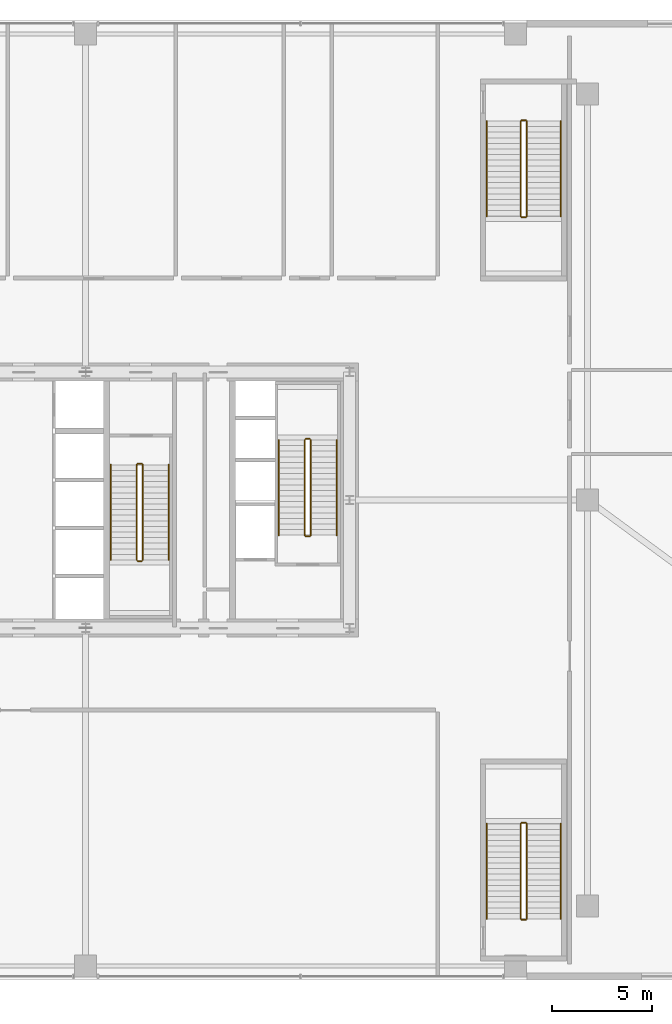
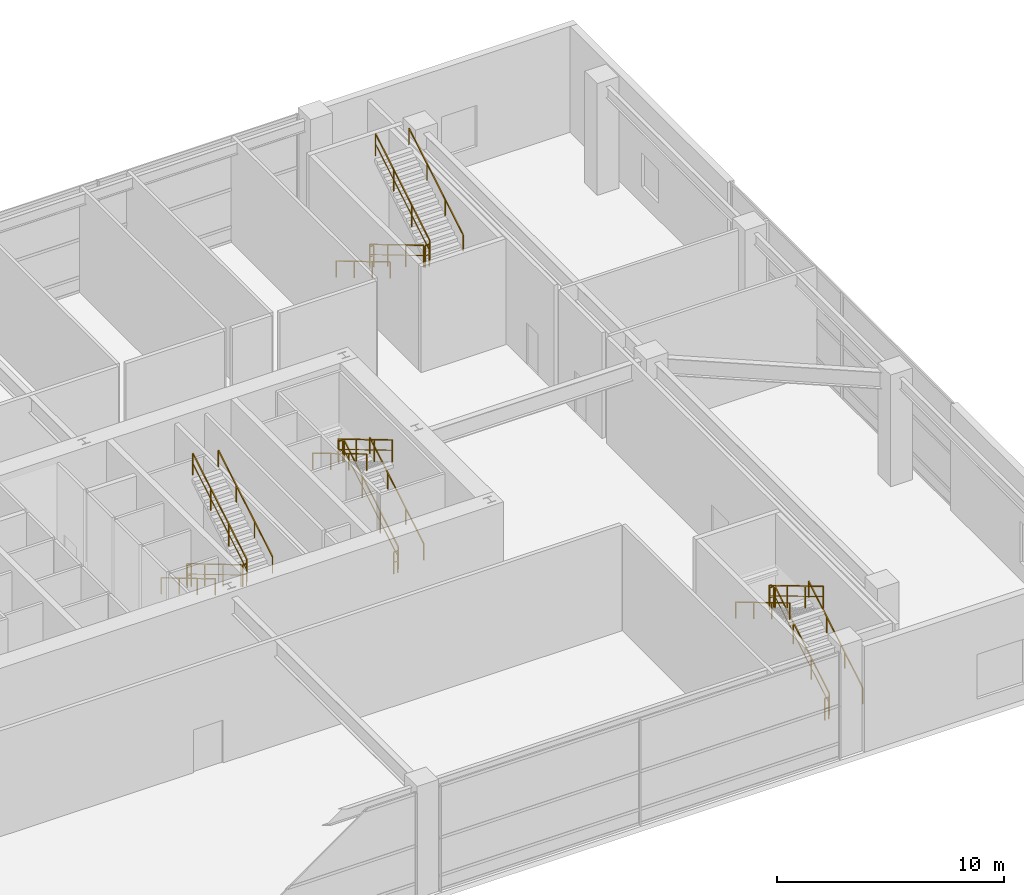
# One storey, part 39 of 39: 24 railings.
"""IFC4 building model written with IfcOpenShell, lengths in metres."""

from ifc_helpers import new_model, si_unit, direction, frame, origin, origin_2d, place, context, subcontext, project, spatial, rectangle, extrude, source, transform, mapped, material, layer, layer_set, type_object, element, save


model = new_model("IFC4")

# Units and contexts
model_context = context("Model", 3, precision=1e-05, world=origin(), true_north=direction((0.0, 1.0)))
body_context = subcontext(model_context, "Body", "Model", "MODEL_VIEW")
ifc_project = project(units=[si_unit("LENGTHUNIT", "METRE"), si_unit("AREAUNIT", "SQUARE_METRE"), si_unit("VOLUMEUNIT", "CUBIC_METRE"), si_unit("PLANEANGLEUNIT", "RADIAN"), si_unit("MASSUNIT", "GRAM", prefix="KILO"), si_unit("THERMODYNAMICTEMPERATUREUNIT", "KELVIN"), si_unit("POWERUNIT", "WATT")], contexts=[model_context])

# Site, building, storey
site_placement = place(None, origin())
site = spatial("IfcSite", under=ifc_project, at=site_placement, CompositionType="ELEMENT")
building_placement = place(site_placement, origin())
building = spatial("IfcBuilding", under=site, at=building_placement, Name="Yuzanri Waterfront Tower", CompositionType="ELEMENT")
storey_placement = place(building_placement, frame((0.0, 0.0, 19.800048828125)))
storey = spatial("IfcBuildingStorey", under=building, at=storey_placement, Name="L05", CompositionType="ELEMENT", Elevation=19.800048828125)

# Railings
ifc_material_1 = material(Name="Painted Galvanized Fire Steel", Category="steel")
ifc_layer_1 = layer(ifc_material_1, 0.06005859375)
ifc_layer_set_1 = layer_set([ifc_layer_1], Name="Painted Galvanized Fire Steel")
railing_type_1 = type_object("IfcRailingType", Name="Painted Steel Stairwell Guardrail 1120", PredefinedType="GUARDRAIL", material=ifc_layer_set_1)
shared_shape_1 = source(origin(), body_context, "Body", "SweptSolid", [
    extrude(rectangle(XDim=0.050048828125, YDim=0.050048828125, at=origin_2d()), frame((0.0, 0.0, 1.1748046875), z_axis=(-1.0, 0.0, 0.0), x_axis=(0.0, -1.0, 0.0)), (0.0, 0.0, 1.0), 0.199951171875),
    extrude(rectangle(XDim=0.035888671875, YDim=0.030029296875, at=origin_2d()), frame((0.0, 0.0, 0.6240234375), z_axis=(-1.0, 0.0, 0.0), x_axis=(0.0, -1.0, 0.0)), (0.0, 0.0, 1.0), 0.199951171875),
    extrude(rectangle(XDim=0.0458984375, YDim=0.0458984375, at=origin_2d()), origin(), (0.0, 0.0, 1.0), 1.14990234375),
    extrude(rectangle(XDim=0.0458984375, YDim=0.0458984375, at=origin_2d()), frame((-0.199951171875, 0.0, 0.0)), (0.0, 0.0, 1.0), 1.14990234375),
])
for number, where, name in (
    (1, (48.199951171875, 28.85009765625, 3.0), "L05 ST-02 stair guard 2"),
    (2, (48.199951171875, 23.989990234375, 0.0), "L05 ST-02 stair guard 4"),
    (3, (59.0, 9.659912109375, 3.0), "L05 PST-02 stair guard 2"),
    (4, (59.0, 4.800048828125, 0.0), "L05 PST-02 stair guard 4"),
):
    element("IfcRailing", number, at=place(storey_placement, frame(where)), inside=storey, type_object=railing_type_1, Name=name, PredefinedType="GUARDRAIL", context=body_context, shape_type="MappedRepresentation", body=[
        mapped(shared_shape_1, transform((0.0, 0.0, 0.0), scale=1.0)),
    ])
shared_shape_2 = source(origin(), body_context, "Body", "SweptSolid", [
    extrude(rectangle(XDim=0.050048828125, YDim=0.050048828125, at=origin_2d()), frame((0.0, 0.0, 1.1748046875), z_axis=(0.0, 0.859280431707, 0.51150477973), x_axis=(-1.0, 0.0, 0.0)), (0.0, 0.0, 1.0), 5.53955078125),
    extrude(rectangle(XDim=0.035888671875, YDim=0.030029296875, at=origin_2d()), frame((0.0, 0.0, 0.6240234375), z_axis=(0.0, 0.859280431707, 0.51150477973), x_axis=(-1.0, 0.0, 0.0)), (0.0, 0.0, 1.0), 5.53955078125),
    extrude(rectangle(XDim=0.0458984375, YDim=0.0458984375, at=origin_2d()), origin(), (0.0, 0.0, 1.0), 1.14990234375),
    extrude(rectangle(XDim=0.0458984375, YDim=0.0458984375, at=origin_2d()), frame((0.0, 1.586669921875, 0.944580078125)), (0.0, 0.0, 1.0), 1.14990234375),
    extrude(rectangle(XDim=0.0458984375, YDim=0.0458984375, at=origin_2d()), frame((0.0, 3.17333984375, 1.888916015625)), (0.0, 0.0, 1.0), 1.14990234375),
    extrude(rectangle(XDim=0.0458984375, YDim=0.0458984375, at=origin_2d()), frame((0.0, 4.760009765625, 2.83349609375)), (0.0, 0.0, 1.0), 1.14990234375),
])
for number, where, name in (
    (5, (48.25, 24.0400390625, 0.16650390625), "L05 ST-02 stair guard 1"),
    (6, (39.85009765625, 22.800048828125, 3.16650390625), "L05 ST-03 stair guard 3"),
    (7, (59.050048828125, 4.85009765625, 0.16650390625), "L05 PST-02 stair guard 1"),
    (8, (59.050048828125, 39.989990234375, 3.16650390625), "L05 PST-03 stair guard 3"),
):
    element("IfcRailing", number, at=place(storey_placement, frame(where)), inside=storey, type_object=railing_type_1, Name=name, PredefinedType="GUARDRAIL", context=body_context, shape_type="MappedRepresentation", body=[
        mapped(shared_shape_2, transform((0.0, 0.0, 0.0), scale=1.0)),
    ])
shared_shape_3 = source(origin(), body_context, "Body", "SweptSolid", [
    extrude(rectangle(XDim=0.050048828125, YDim=0.050048828125, at=origin_2d()), frame((0.0, 0.0, 1.1748046875), z_axis=(0.0, -0.859280431707, 0.51150477973), x_axis=(1.0, 0.0, 0.0)), (0.0, 0.0, 1.0), 5.53955078125),
    extrude(rectangle(XDim=0.035888671875, YDim=0.030029296875, at=origin_2d()), frame((0.0, 0.0, 0.6240234375), z_axis=(0.0, -0.859280431707, 0.51150477973), x_axis=(1.0, 0.0, 0.0)), (0.0, 0.0, 1.0), 5.53955078125),
    extrude(rectangle(XDim=0.0458984375, YDim=0.0458984375, at=origin_2d()), origin(), (0.0, 0.0, 1.0), 1.14990234375),
    extrude(rectangle(XDim=0.0458984375, YDim=0.0458984375, at=origin_2d()), frame((0.0, -1.586669921875, 0.944580078125)), (0.0, 0.0, 1.0), 1.14990234375),
    extrude(rectangle(XDim=0.0458984375, YDim=0.0458984375, at=origin_2d()), frame((0.0, -3.17333984375, 1.888916015625)), (0.0, 0.0, 1.0), 1.14990234375),
    extrude(rectangle(XDim=0.0458984375, YDim=0.0458984375, at=origin_2d()), frame((0.0, -4.760009765625, 2.83349609375)), (0.0, 0.0, 1.0), 1.14990234375),
])
for number, where, name in (
    (9, (47.949951171875, 28.800048828125, 3.16650390625), "L05 ST-02 stair guard 3"),
    (10, (39.550048828125, 27.56005859375, 0.16650390625), "L05 ST-03 stair guard 1"),
    (11, (58.75, 9.610107421875, 3.16650390625), "L05 PST-02 stair guard 3"),
    (12, (58.75, 44.75, 0.16650390625), "L05 PST-03 stair guard 1"),
):
    element("IfcRailing", number, at=place(storey_placement, frame(where)), inside=storey, type_object=railing_type_1, Name=name, PredefinedType="GUARDRAIL", context=body_context, shape_type="MappedRepresentation", body=[
        mapped(shared_shape_3, transform((0.0, 0.0, 0.0), scale=1.0)),
    ])
ifc_material_2 = material(Name="Anodized Architectural Bronze", Category="metal")
ifc_layer_2 = layer(ifc_material_2, 0.050048828125)
ifc_layer_set_2 = layer_set([ifc_layer_2], Name="Anodized Architectural Bronze")
railing_type_2 = type_object("IfcRailingType", Name="Brushed Bronze Stair Pitch Handrail 920", PredefinedType="HANDRAIL", material=ifc_layer_set_2)
shared_shape_4 = source(origin(), body_context, "Body", "SweptSolid", [
    extrude(rectangle(XDim=0.050048828125, YDim=0.050048828125, at=origin_2d()), frame((0.0, 0.0, 0.875), z_axis=(0.0, 0.859280431707, 0.51150477973), x_axis=(-1.0, 0.0, 0.0)), (0.0, 0.0, 1.0), 5.53955078125),
    extrude(rectangle(XDim=0.0458984375, YDim=0.0458984375, at=origin_2d()), origin(), (0.0, 0.0, 1.0), 0.849853515625),
    extrude(rectangle(XDim=0.0458984375, YDim=0.0458984375, at=origin_2d()), frame((0.0, 1.586669921875, 0.944580078125)), (0.0, 0.0, 1.0), 0.849853515625),
    extrude(rectangle(XDim=0.0458984375, YDim=0.0458984375, at=origin_2d()), frame((0.0, 3.17333984375, 1.888916015625)), (0.0, 0.0, 1.0), 0.849853515625),
    extrude(rectangle(XDim=0.0458984375, YDim=0.0458984375, at=origin_2d()), frame((0.0, 4.760009765625, 2.83349609375)), (0.0, 0.0, 1.0), 0.849853515625),
])
for number, where, name in (
    (13, (49.550048828125, 24.0400390625, 0.16650390625), "L05 ST-02 stair handrail 1"),
    (14, (41.14990234375, 22.800048828125, 3.16650390625), "L05 ST-03 stair handrail 2"),
    (15, (60.75, 4.85009765625, 0.16650390625), "L05 PST-02 stair handrail 1"),
    (16, (60.75, 39.989990234375, 3.16650390625), "L05 PST-03 stair handrail 2"),
):
    element("IfcRailing", number, at=place(storey_placement, frame(where)), inside=storey, type_object=railing_type_2, Name=name, PredefinedType="HANDRAIL", context=body_context, shape_type="MappedRepresentation", body=[
        mapped(shared_shape_4, transform((0.0, 0.0, 0.0), scale=1.0)),
    ])
shared_shape_5 = source(origin(), body_context, "Body", "SweptSolid", [
    extrude(rectangle(XDim=0.050048828125, YDim=0.050048828125, at=origin_2d()), frame((0.0, 0.0, 0.875), z_axis=(0.0, -0.859280431707, 0.51150477973), x_axis=(1.0, 0.0, 0.0)), (0.0, 0.0, 1.0), 5.53955078125),
    extrude(rectangle(XDim=0.0458984375, YDim=0.0458984375, at=origin_2d()), origin(), (0.0, 0.0, 1.0), 0.849853515625),
    extrude(rectangle(XDim=0.0458984375, YDim=0.0458984375, at=origin_2d()), frame((0.0, -1.586669921875, 0.944580078125)), (0.0, 0.0, 1.0), 0.849853515625),
    extrude(rectangle(XDim=0.0458984375, YDim=0.0458984375, at=origin_2d()), frame((0.0, -3.17333984375, 1.888916015625)), (0.0, 0.0, 1.0), 0.849853515625),
    extrude(rectangle(XDim=0.0458984375, YDim=0.0458984375, at=origin_2d()), frame((0.0, -4.760009765625, 2.83349609375)), (0.0, 0.0, 1.0), 0.849853515625),
])
for number, where, name in (
    (17, (46.64990234375, 28.800048828125, 3.16650390625), "L05 ST-02 stair handrail 2"),
    (18, (38.25, 27.56005859375, 0.16650390625), "L05 ST-03 stair handrail 1"),
    (19, (57.050048828125, 9.610107421875, 3.16650390625), "L05 PST-02 stair handrail 2"),
    (20, (57.050048828125, 44.75, 0.16650390625), "L05 PST-03 stair handrail 1"),
):
    element("IfcRailing", number, at=place(storey_placement, frame(where)), inside=storey, type_object=railing_type_2, Name=name, PredefinedType="HANDRAIL", context=body_context, shape_type="MappedRepresentation", body=[
        mapped(shared_shape_5, transform((0.0, 0.0, 0.0), scale=1.0)),
    ])
shared_shape_6 = source(origin(), body_context, "Body", "SweptSolid", [
    extrude(rectangle(XDim=0.050048828125, YDim=0.050048828125, at=origin_2d()), frame((0.0, 0.0, 1.1748046875), z_axis=(1.0, 0.0, 0.0), x_axis=(0.0, 1.0, 0.0)), (0.0, 0.0, 1.0), 0.199951171875),
    extrude(rectangle(XDim=0.035888671875, YDim=0.030029296875, at=origin_2d()), frame((0.0, 0.0, 0.6240234375), z_axis=(1.0, 0.0, 0.0), x_axis=(0.0, 1.0, 0.0)), (0.0, 0.0, 1.0), 0.199951171875),
    extrude(rectangle(XDim=0.0458984375, YDim=0.0458984375, at=origin_2d()), origin(), (0.0, 0.0, 1.0), 1.14990234375),
    extrude(rectangle(XDim=0.0458984375, YDim=0.0458984375, at=origin_2d()), frame((0.199951171875, 0.0, 0.0)), (0.0, 0.0, 1.0), 1.14990234375),
])
for number, where, name in (
    (21, (39.60009765625, 22.75, 3.0), "L05 ST-03 stair guard 2"),
    (22, (39.60009765625, 27.610107421875, 0.0), "L05 ST-03 stair guard 4"),
    (23, (58.800048828125, 39.93994140625, 3.0), "L05 PST-03 stair guard 2"),
    (24, (58.800048828125, 44.800048828125, 0.0), "L05 PST-03 stair guard 4"),
):
    element("IfcRailing", number, at=place(storey_placement, frame(where)), inside=storey, type_object=railing_type_1, Name=name, PredefinedType="GUARDRAIL", context=body_context, shape_type="MappedRepresentation", body=[
        mapped(shared_shape_6, transform((0.0, 0.0, 0.0), scale=1.0)),
    ])

save(model, "model.ifc")
